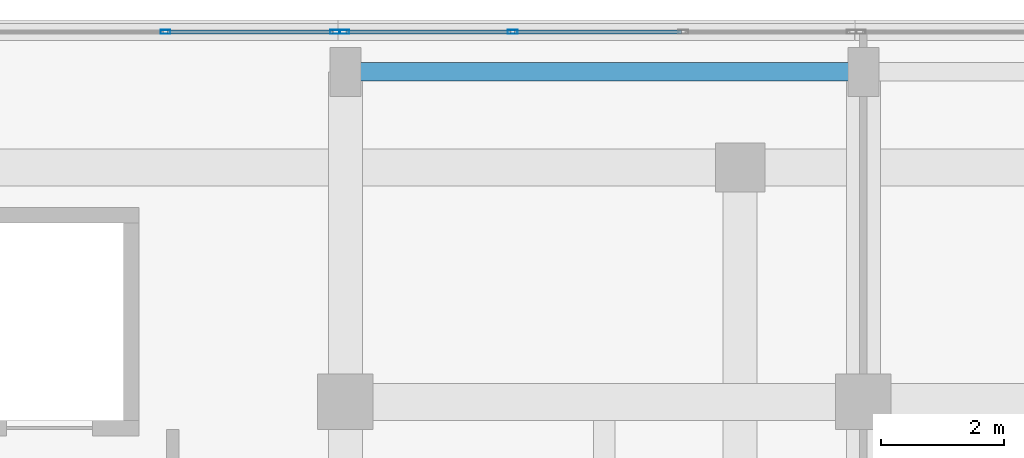
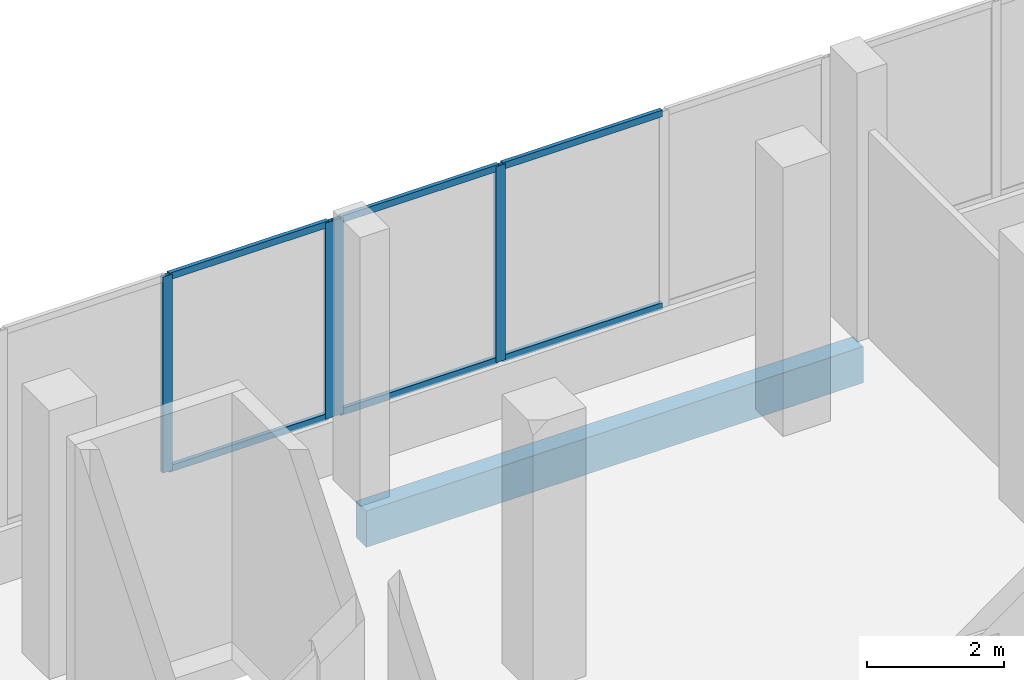
# One storey, part 86 of 168: 10 members, 1 beam, 2 elements without a shape of their own.
"""IFC4 building model written with IfcOpenShell, lengths in metres."""

from ifc_helpers import new_model, si_unit, direction, frame, origin, origin_2d, place, context, subcontext, project, spatial, rectangle, hollow_rectangle, extrude, material, material_profile, profile_set, type_object, element, aggregate, save


model = new_model("IFC4")

# Units and contexts
model_context = context("Model", 3, precision=1e-05, world=origin(), true_north=direction((0.0, 1.0)))
body_context = subcontext(model_context, "Body", "Model", "MODEL_VIEW")
ifc_project = project(units=[si_unit("LENGTHUNIT", "METRE"), si_unit("AREAUNIT", "SQUARE_METRE"), si_unit("VOLUMEUNIT", "CUBIC_METRE"), si_unit("PLANEANGLEUNIT", "RADIAN"), si_unit("MASSUNIT", "GRAM", prefix="KILO")], contexts=[model_context])

# Site, building, storey
site_placement = place(None, origin())
site = spatial("IfcSite", under=ifc_project, at=site_placement, CompositionType="ELEMENT")
building_placement = place(site_placement, origin())
building = spatial("IfcBuilding", under=site, at=building_placement, Name="Selatvlak General Hospital", CompositionType="ELEMENT")
storey_placement = place(building_placement, frame((0.0, 0.0, 5.39990234375)))
storey = spatial("IfcBuildingStorey", under=building, at=storey_placement, Name="L01", CompositionType="ELEMENT", Elevation=5.39990234375)

# Beam
ifc_material_1 = material(Name="Concrete C40/50", Category="concrete")
ifc_material_profile_1 = material_profile(ifc_material_1, rectangle(XDim=0.300048828125, YDim=0.64990234375, at=origin_2d()), Name="RC-SP 300x650")
ifc_profile_set_1 = profile_set([ifc_material_profile_1], Name="Concrete C40/50")
beam_type = type_object("IfcBeamType", Name="BM-SP1", PredefinedType="SPANDREL", material=ifc_profile_set_1)
beam_placement = place(storey_placement, frame((64.800048828125, 119.35009765625, -0.64501953125), z_axis=(1.0, 0.0, 0.0), x_axis=(0.0, 1.0, 0.0)))
element("IfcBeam", 1, at=beam_placement, inside=storey, type_object=beam_type, Name="Beam BMR-L01-0528", PredefinedType="SPANDREL", context=body_context, shape_type="SweptSolid", body=[
    extrude(rectangle(XDim=0.300048828125, YDim=0.64990234375, at=origin_2d()), origin(), (0.0, 0.0, 1.0), 8.39990234375),
])

# Curtain wall, members
ifc_material_2 = material(Name="Solar-control Low-E double glazing", Category="glass")
curtain_wall_type_1 = type_object("IfcCurtainWallType", Name="CW-CW-02", PredefinedType="USERDEFINED", material=ifc_material_2)
curtain_wall_1_placement = place(storey_placement, origin())
curtain_wall_1 = element("IfcCurtainWall", 2, at=curtain_wall_1_placement, inside=storey, type_object=curtain_wall_type_1, Name="Glazed facade curtain wall CW-L01-0117", ObjectType="UNITISED CURTAIN WALL", PredefinedType="USERDEFINED")
ifc_material_3 = material(Name="Dark anodised aluminium mullion", Category="aluminium")
ifc_material_profile_2 = material_profile(ifc_material_3, hollow_rectangle(XDim=0.06494140625, YDim=0.159912109375, WallThickness=0.00390625, at=origin_2d()), Name="AL-MUL 65x160x4")
ifc_profile_set_2 = profile_set([ifc_material_profile_2], Name="Dark anodised aluminium mullion")
member_type_1 = type_object("IfcMemberType", Name="CWM-01", PredefinedType="MULLION", material=ifc_profile_set_2)
member_1_placement = place(storey_placement, frame((61.881591796875, 119.9990234375, 0.940185546875), z_axis=(0.0, 0.0, 1.0), x_axis=(0.0, 1.0, 0.0)))
member_1 = element("IfcMember", 3, at=member_1_placement, type_object=member_type_1, Name="CW-02 mullion 3", PredefinedType="MULLION", context=body_context, shape_type="SweptSolid", body=[
    extrude(hollow_rectangle(XDim=0.06494140625, YDim=0.159912109375, WallThickness=0.00390625, at=origin_2d()), origin(), (0.0, 0.0, 1.0), 3.5048828125),
])
member_2_placement = place(storey_placement, frame((64.632568359375, 119.9990234375, 0.940185546875), z_axis=(0.0, 0.0, 1.0), x_axis=(0.0, 1.0, 0.0)))
member_2 = element("IfcMember", 4, at=member_2_placement, type_object=member_type_1, Name="CW-02 mullion 4", PredefinedType="MULLION", context=body_context, shape_type="SweptSolid", body=[
    extrude(hollow_rectangle(XDim=0.06494140625, YDim=0.159912109375, WallThickness=0.00390625, at=origin_2d()), origin(), (0.0, 0.0, 1.0), 3.5048828125),
])

curtain_wall_type_2 = type_object("IfcCurtainWallType", Name="CW-CW-01", PredefinedType="USERDEFINED", material=ifc_material_2)
curtain_wall_2_placement = place(storey_placement, origin())
curtain_wall_2 = element("IfcCurtainWall", 5, at=curtain_wall_2_placement, inside=storey, type_object=curtain_wall_type_2, Name="Glazed facade curtain wall CW-L01-0118", ObjectType="UNITISED CURTAIN WALL", PredefinedType="USERDEFINED")
member_3_placement = place(storey_placement, frame((64.777587890625, 119.9990234375, 0.940185546875), z_axis=(0.0, 0.0, 1.0), x_axis=(0.0, 1.0, 0.0)))
member_3 = element("IfcMember", 6, at=member_3_placement, type_object=member_type_1, Name="CW-01 mullion 1", PredefinedType="MULLION", context=body_context, shape_type="SweptSolid", body=[
    extrude(hollow_rectangle(XDim=0.06494140625, YDim=0.159912109375, WallThickness=0.00390625, at=origin_2d()), origin(), (0.0, 0.0, 1.0), 3.5048828125),
])
member_4_placement = place(storey_placement, frame((67.51171875, 119.9990234375, 0.940185546875), z_axis=(0.0, 0.0, 1.0), x_axis=(0.0, 1.0, 0.0)))
member_4 = element("IfcMember", 7, at=member_4_placement, type_object=member_type_1, Name="CW-01 mullion 2", PredefinedType="MULLION", context=body_context, shape_type="SweptSolid", body=[
    extrude(hollow_rectangle(XDim=0.06494140625, YDim=0.159912109375, WallThickness=0.00390625, at=origin_2d()), origin(), (0.0, 0.0, 1.0), 3.5048828125),
])

# Member
ifc_material_profile_3 = material_profile(ifc_material_3, hollow_rectangle(XDim=0.06494140625, YDim=0.1201171875, WallThickness=0.00390625, at=origin_2d()), Name="AL-TRN 65x120x4")
ifc_profile_set_3 = profile_set([ifc_material_profile_3], Name="Dark anodised aluminium mullion")
member_type_2 = type_object("IfcMemberType", Name="CWT-01", PredefinedType="USERDEFINED", material=ifc_profile_set_3)
member_5_placement = place(storey_placement, frame((61.9140625, 119.9990234375, 0.97265625), z_axis=(1.0, 0.0, 0.0), x_axis=(0.0, 1.0, 0.0)))
member_5 = element("IfcMember", 8, at=member_5_placement, type_object=member_type_2, Name="CW-02 transom 3.1", ObjectType="TRANSOM", PredefinedType="USERDEFINED", context=body_context, shape_type="SweptSolid", body=[
    extrude(hollow_rectangle(XDim=0.06494140625, YDim=0.1201171875, WallThickness=0.00390625, at=origin_2d()), origin(), (0.0, 0.0, 1.0), 2.68603515625),
])

member_6_placement = place(storey_placement, frame((61.9140625, 119.9990234375, 4.41259765625), z_axis=(1.0, 0.0, 0.0), x_axis=(0.0, 1.0, 0.0)))
member_6 = element("IfcMember", 9, at=member_6_placement, type_object=member_type_2, Name="CW-02 transom 3.2", ObjectType="TRANSOM", PredefinedType="USERDEFINED", context=body_context, shape_type="SweptSolid", body=[
    extrude(hollow_rectangle(XDim=0.06494140625, YDim=0.1201171875, WallThickness=0.00390625, at=origin_2d()), origin(), (0.0, 0.0, 1.0), 2.68603515625),
])

aggregate(curtain_wall_1, [member_1, member_2, member_5, member_6])

member_7_placement = place(storey_placement, frame((64.81005859375, 119.9990234375, 0.97265625), z_axis=(1.0, 0.0, 0.0), x_axis=(0.0, 1.0, 0.0)))
member_7 = element("IfcMember", 10, at=member_7_placement, type_object=member_type_2, Name="CW-01 transom 1.1", ObjectType="TRANSOM", PredefinedType="USERDEFINED", context=body_context, shape_type="SweptSolid", body=[
    extrude(hollow_rectangle(XDim=0.06494140625, YDim=0.1201171875, WallThickness=0.00390625, at=origin_2d()), origin(), (0.0, 0.0, 1.0), 2.669189453125),
])

member_8_placement = place(storey_placement, frame((64.81005859375, 119.9990234375, 4.41259765625), z_axis=(1.0, 0.0, 0.0), x_axis=(0.0, 1.0, 0.0)))
member_8 = element("IfcMember", 11, at=member_8_placement, type_object=member_type_2, Name="CW-01 transom 1.2", ObjectType="TRANSOM", PredefinedType="USERDEFINED", context=body_context, shape_type="SweptSolid", body=[
    extrude(hollow_rectangle(XDim=0.06494140625, YDim=0.1201171875, WallThickness=0.00390625, at=origin_2d()), origin(), (0.0, 0.0, 1.0), 2.669189453125),
])

member_9_placement = place(storey_placement, frame((67.544189453125, 119.9990234375, 0.97265625), z_axis=(1.0, 0.0, 0.0), x_axis=(0.0, 1.0, 0.0)))
member_9 = element("IfcMember", 12, at=member_9_placement, type_object=member_type_2, Name="CW-01 transom 2.1", ObjectType="TRANSOM", PredefinedType="USERDEFINED", context=body_context, shape_type="SweptSolid", body=[
    extrude(hollow_rectangle(XDim=0.06494140625, YDim=0.1201171875, WallThickness=0.00390625, at=origin_2d()), origin(), (0.0, 0.0, 1.0), 2.70166015625),
])

member_10_placement = place(storey_placement, frame((67.544189453125, 119.9990234375, 4.41259765625), z_axis=(1.0, 0.0, 0.0), x_axis=(0.0, 1.0, 0.0)))
member_10 = element("IfcMember", 13, at=member_10_placement, type_object=member_type_2, Name="CW-01 transom 2.2", ObjectType="TRANSOM", PredefinedType="USERDEFINED", context=body_context, shape_type="SweptSolid", body=[
    extrude(hollow_rectangle(XDim=0.06494140625, YDim=0.1201171875, WallThickness=0.00390625, at=origin_2d()), origin(), (0.0, 0.0, 1.0), 2.70166015625),
])

aggregate(curtain_wall_2, [member_3, member_4, member_7, member_8, member_9, member_10])

save(model, "model.ifc")
